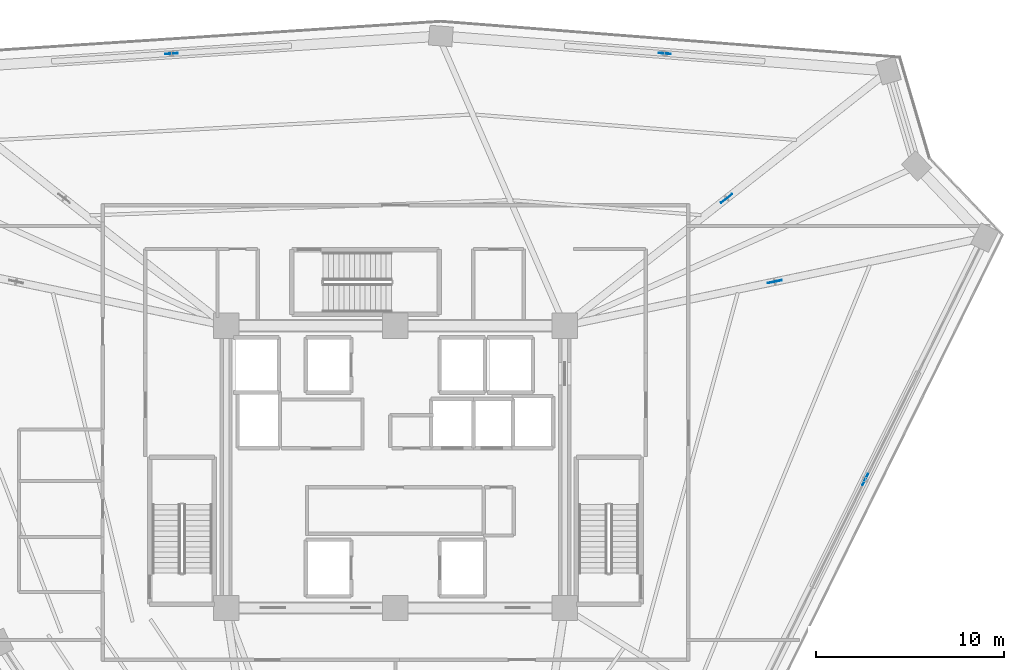
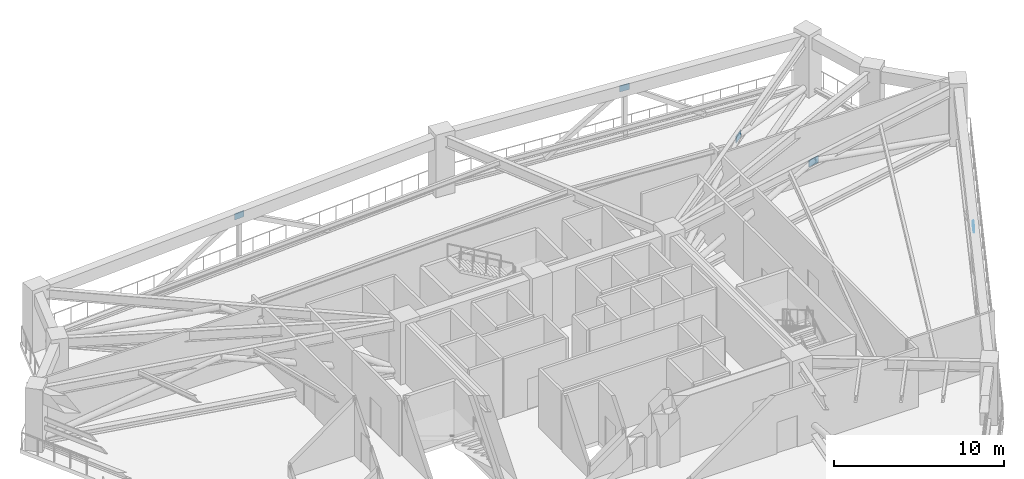
# One storey, part 13 of 22: 5 plates.
"""IFC4 building model written with IfcOpenShell, lengths in metres."""

from ifc_helpers import new_model, si_unit, direction, frame, origin, origin_2d, place, context, subcontext, project, spatial, rectangle, extrude, source, transform, mapped, material, layer, layer_set, type_object, element, save


model = new_model("IFC4")

# Units and contexts
model_context = context("Model", 3, precision=1e-05, world=origin(), true_north=direction((0.0, 1.0)))
body_context = subcontext(model_context, "Body", "Model", "MODEL_VIEW")
ifc_project = project(units=[si_unit("LENGTHUNIT", "METRE"), si_unit("AREAUNIT", "SQUARE_METRE"), si_unit("VOLUMEUNIT", "CUBIC_METRE"), si_unit("PLANEANGLEUNIT", "RADIAN"), si_unit("MASSUNIT", "GRAM", prefix="KILO")], contexts=[model_context])

# Site, building, storey
site_placement = place(None, origin())
site = spatial("IfcSite", under=ifc_project, at=site_placement, CompositionType="ELEMENT")
building_placement = place(site_placement, origin())
building = spatial("IfcBuilding", under=site, at=building_placement, Name="Liaohun Quay Tower", CompositionType="ELEMENT")
storey_placement = place(building_placement, frame((0.0, 0.0, 277.5)))
storey = spatial("IfcBuildingStorey", under=building, at=storey_placement, Name="L72", CompositionType="ELEMENT", Elevation=277.5)

# Plates
ifc_material = material(Name="Steel Q420D outrigger node gusset plate", Category="steel")
ifc_layer = layer(ifc_material, 0.0400390625, Name="Steel Q420D outrigger node gusset plate", Category="steel")
ifc_layer_set = layer_set([ifc_layer], Name="Steel Q420D outrigger node gusset plate")
plate_type = type_object("IfcPlateType", Name="PLT-GUS-OUT", PredefinedType="USERDEFINED", material=ifc_layer_set)
shared_shape_1 = source(origin(), body_context, "Body", "SweptSolid", [
    extrude(rectangle(XDim=0.75, YDim=0.0400390625, at=origin_2d()), origin(), (0.0, 0.0, 1.0), 0.5),
])
for number, where, z_axis, x_axis, name in (
    (1, (77.60498046875, 68.27001953125, 3.570068359375), (0.0, 0.0, 1.0), (0.785964813832, 0.618271228037, 0.0), "L72 Outrigger Node Gusset Plate GP1-04"),
    (2, (80.159912109375, 63.843017578125, 3.570068359375), (0.0, 0.0, 1.0), (0.978688559589, 0.205350196811, 0.0), "L72 Outrigger Node Gusset Plate GP1-05"),
):
    element("IfcPlate", number, at=place(storey_placement, frame(where, z_axis=z_axis, x_axis=x_axis)), inside=storey, type_object=plate_type, Name=name, ObjectType="GUSSET PLATE", PredefinedType="USERDEFINED", context=body_context, shape_type="MappedRepresentation", body=[
        mapped(shared_shape_1, transform((0.0, 0.0, 0.0), x_axis=(1.0, 0.0, 0.0), y_axis=(0.0, 1.0, 0.0), z_axis=(0.0, 0.0, 1.0), scale=1.0)),
    ])
shared_shape_2 = source(origin(), body_context, "Body", "SweptSolid", [
    extrude(rectangle(XDim=0.64990234375, YDim=0.035888671875, at=origin_2d()), origin(), (0.0, 0.0, 1.0), 0.449951171875),
])
for number, where, z_axis, x_axis, name in (
    (3, (48.10009765625, 75.965087890625, 3.59521484375), (0.0, 0.0, 1.0), (0.997881692444, 0.065054806779, 0.0), "L72 Belt Truss Node Gusset Plate GP1-B03"),
    (4, (74.31103515625, 75.969970703125, 3.59521484375), (0.0, 0.0, 1.0), (0.996958278162, -0.077937100301, 0.0), "L72 Belt Truss Node Gusset Plate GP1-B04"),
    (5, (84.971923828125, 53.323974609375, 3.59521484375), (0.0, 0.0, 1.0), (-0.442601730913, -0.896718299017, 0.0), "L72 Belt Truss Node Gusset Plate GP1-B05"),
):
    element("IfcPlate", number, at=place(storey_placement, frame(where, z_axis=z_axis, x_axis=x_axis)), inside=storey, type_object=plate_type, Name=name, ObjectType="GUSSET PLATE", PredefinedType="USERDEFINED", context=body_context, shape_type="MappedRepresentation", body=[
        mapped(shared_shape_2, transform((0.0, 0.0, 0.0), x_axis=(1.0, 0.0, 0.0), y_axis=(0.0, 1.0, 0.0), z_axis=(0.0, 0.0, 1.0), scale=1.0)),
    ])

save(model, "model.ifc")
